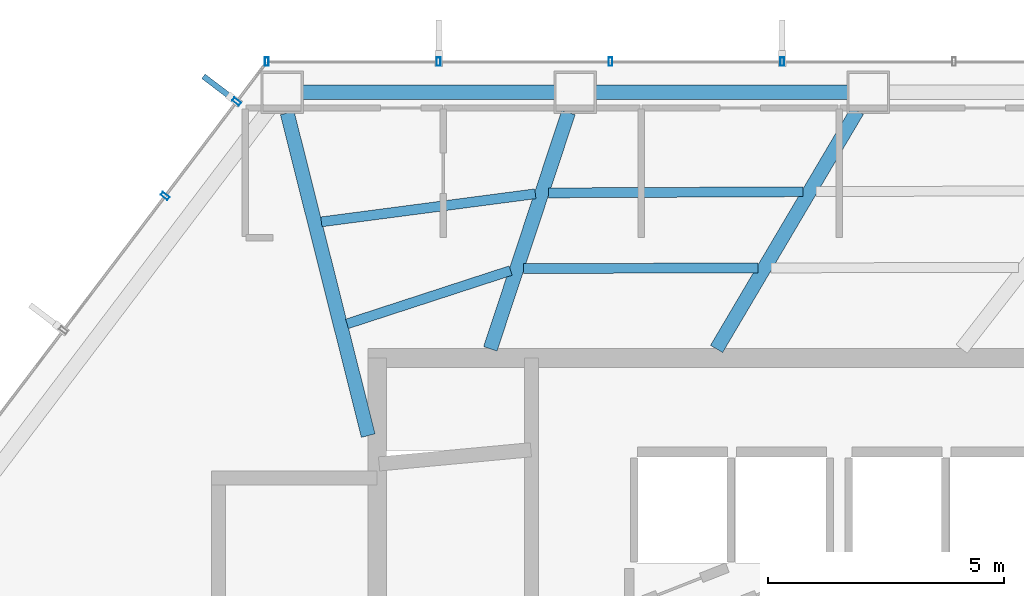
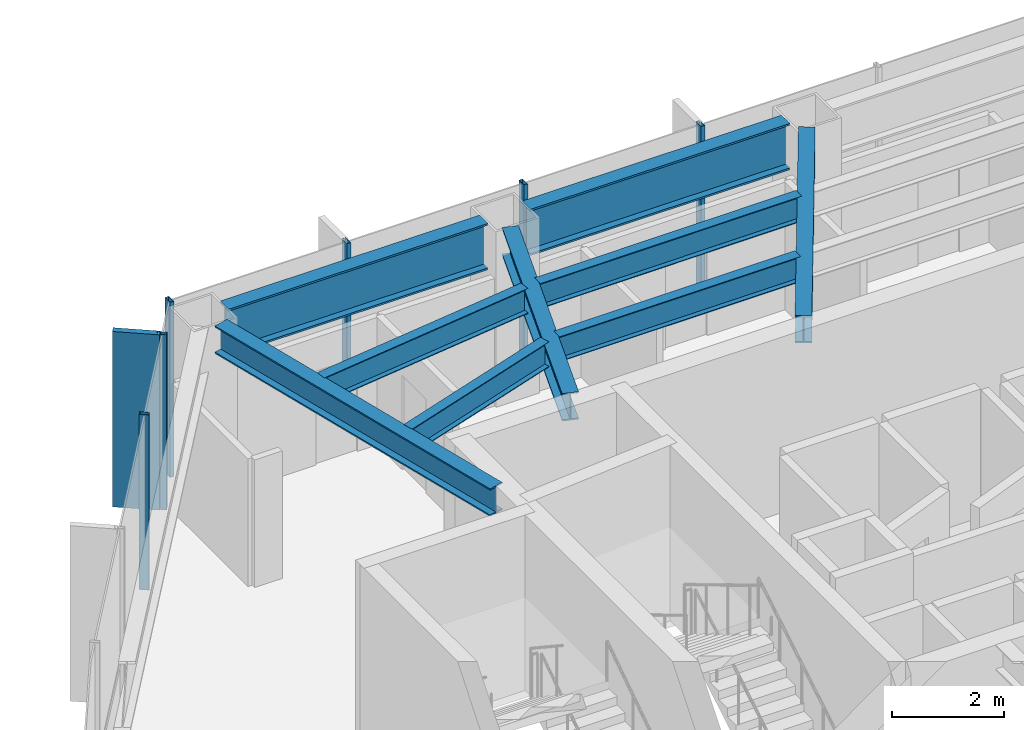
# One storey, part 11 of 24: 9 beams, 7 members, 2 elements without a shape of their own.
"""IFC4 building model written with IfcOpenShell, lengths in metres."""

from ifc_helpers import new_model, si_unit, direction, frame, origin, origin_2d, place, context, subcontext, project, spatial, rectangle, hollow_rectangle, i_section, extrude, material, layer, layer_set, material_profile, profile_set, type_object, element, aggregate, save


model = new_model("IFC4")

# Units and contexts
model_context = context("Model", 3, precision=1e-05, world=origin(), true_north=direction((0.0, 1.0)))
body_context = subcontext(model_context, "Body", "Model", "MODEL_VIEW")
ifc_project = project(units=[si_unit("LENGTHUNIT", "METRE"), si_unit("AREAUNIT", "SQUARE_METRE"), si_unit("VOLUMEUNIT", "CUBIC_METRE"), si_unit("PLANEANGLEUNIT", "RADIAN"), si_unit("MASSUNIT", "GRAM", prefix="KILO")], contexts=[model_context])

# Site, building, storey
site_placement = place(None, origin())
site = spatial("IfcSite", under=ifc_project, at=site_placement, CompositionType="ELEMENT")
building_placement = place(site_placement, origin())
building = spatial("IfcBuilding", under=site, at=building_placement, Name="Zarrinselat Tower", CompositionType="ELEMENT")
storey_placement = place(building_placement, frame((0.0, 0.0, 72.419921875)))
storey = spatial("IfcBuildingStorey", under=building, at=storey_placement, Name="L17", CompositionType="ELEMENT", Elevation=72.419921875)

# Beams
ifc_material_1 = material(Name="Steel S355J2", Category="steel")
ifc_material_profile_1 = material_profile(ifc_material_1, i_section(OverallWidth=0.300048828125, OverallDepth=0.60009765625, WebThickness=0.015380859375, FlangeThickness=0.030029296875, at=origin_2d()), Name="HEB 600")
ifc_profile_set_1 = profile_set([ifc_material_profile_1], Name="Steel S355J2")
beam_type_1 = type_object("IfcBeamType", Name="BM-HEB600", PredefinedType="BEAM", material=ifc_profile_set_1)
beam_1_placement = place(storey_placement, frame((35.800048828125, 43.639892578125, 3.52001953125), z_axis=(0.508790955784, 0.860890099439, 0.0), x_axis=(-0.860890099439, 0.508790955784, 0.0)))
element("IfcBeam", 1, at=beam_1_placement, inside=storey, type_object=beam_type_1, Name="L17 Radial Primary Girder RG03", PredefinedType="BEAM", context=body_context, shape_type="SweptSolid", body=[
    extrude(i_section(OverallWidth=0.300048828125, OverallDepth=0.60009765625, WebThickness=0.015380859375, FlangeThickness=0.030029296875, at=origin_2d()), origin(), (0.0, 0.0, 1.0), 5.870849609375),
])
beam_2_placement = place(storey_placement, frame((31.0, 43.639892578125, 3.52001953125), z_axis=(0.313813504101, 0.949484641605, 0.0), x_axis=(-0.949484641605, 0.313813504101, 0.0)))
element("IfcBeam", 2, at=beam_2_placement, inside=storey, type_object=beam_type_1, Name="L17 Radial Primary Girder RG04", PredefinedType="BEAM", context=body_context, shape_type="SweptSolid", body=[
    extrude(i_section(OverallWidth=0.300048828125, OverallDepth=0.60009765625, WebThickness=0.015380859375, FlangeThickness=0.030029296875, at=origin_2d()), origin(), (0.0, 0.0, 1.0), 5.281005859375),
])
beam_3_placement = place(storey_placement, frame((26.69140625, 48.64501953125, 3.52001953125), z_axis=(0.243504124048, -0.96989986162, 0.0), x_axis=(0.96989986162, 0.243504124048, 0.0)))
element("IfcBeam", 3, at=beam_3_placement, inside=storey, type_object=beam_type_1, Name="L17 Radial Primary Girder RG05", PredefinedType="BEAM", context=body_context, shape_type="SweptSolid", body=[
    extrude(i_section(OverallWidth=0.300048828125, OverallDepth=0.60009765625, WebThickness=0.015380859375, FlangeThickness=0.030029296875, at=origin_2d()), origin(), (0.0, 0.0, 1.0), 7.057373046875),
])
ifc_material_2 = material(Name="Steel S460M", Category="steel")
ifc_material_profile_2 = material_profile(ifc_material_2, i_section(OverallWidth=0.302001953125, OverallDepth=1.008056640625, WebThickness=0.02099609375, FlangeThickness=0.0400390625, at=origin_2d()), Name="HEM 1000")
ifc_profile_set_2 = profile_set([ifc_material_profile_2], Name="Steel S460M")
beam_type_2 = type_object("IfcBeamType", Name="BM-HEM1000", PredefinedType="BEAM", material=ifc_profile_set_2)
for number, where, z_axis, x_axis, name in (
    (4, (33.2373046875, 49.083251953125, 3.316162109375), (1.0, 0.0, 0.0), (0.0, 1.0, 0.0), "L17 Perimeter Spandrel Girder SP03"),
    (5, (27.019287109375, 49.083251953125, 3.316162109375), (1.0, 0.0, 0.0), (0.0, 1.0, 0.0), "L17 Perimeter Spandrel Girder SP04"),
):
    element("IfcBeam", number, at=place(storey_placement, frame(where, z_axis=z_axis, x_axis=x_axis)), inside=storey, type_object=beam_type_2, Name=name, PredefinedType="BEAM", context=body_context, shape_type="SweptSolid", body=[
        extrude(i_section(OverallWidth=0.302001953125, OverallDepth=1.008056640625, WebThickness=0.02099609375, FlangeThickness=0.0400390625, at=origin_2d()), origin(), (0.0, 0.0, 1.0), 5.341796875),
    ])
ifc_material_3 = material(Name="Steel S355J2", Category="steel")
ifc_material_profile_3 = material_profile(ifc_material_3, i_section(OverallWidth=0.2099609375, OverallDepth=0.550048828125, WebThickness=0.010986328125, FlangeThickness=0.01708984375, at=origin_2d()), Name="IPE 550")
ifc_profile_set_3 = profile_set([ifc_material_profile_3], Name="Steel S355J2")
beam_type_3 = type_object("IfcBeamType", Name="BM-IPE550", PredefinedType="JOIST", material=ifc_profile_set_3)
beam_4_placement = place(storey_placement, frame((32.23388671875, 46.949951171875, 3.545166015625), z_axis=(0.999989148265, 0.004658685706, 0.0), x_axis=(-0.004658685706, 0.999989148265, 0.0)))
element("IfcBeam", 6, at=beam_4_placement, inside=storey, type_object=beam_type_3, Name="L17 Composite Floor Joist 9-1", PredefinedType="JOIST", context=body_context, shape_type="SweptSolid", body=[
    extrude(i_section(OverallWidth=0.2099609375, OverallDepth=0.550048828125, WebThickness=0.010986328125, FlangeThickness=0.01708984375, at=origin_2d()), origin(), (0.0, 0.0, 1.0), 5.397705078125),
])
beam_5_placement = place(storey_placement, frame((31.70361328125, 45.34521484375, 3.545166015625), z_axis=(0.999996613503, 0.002602495483, 0.0), x_axis=(-0.002602495483, 0.999996613503, 0.0)))
element("IfcBeam", 7, at=beam_5_placement, inside=storey, type_object=beam_type_3, Name="L17 Composite Floor Joist 9-2", PredefinedType="JOIST", context=body_context, shape_type="SweptSolid", body=[
    extrude(i_section(OverallWidth=0.2099609375, OverallDepth=0.550048828125, WebThickness=0.010986328125, FlangeThickness=0.01708984375, at=origin_2d()), origin(), (0.0, 0.0, 1.0), 4.971923828125),
])
beam_6_placement = place(storey_placement, frame((27.41455078125, 46.335693359375, 3.545166015625), z_axis=(0.991510094003, 0.130029740793, 0.0), x_axis=(-0.130029740793, 0.991510094003, 0.0)))
element("IfcBeam", 8, at=beam_6_placement, inside=storey, type_object=beam_type_3, Name="L17 Composite Floor Joist 10-1", PredefinedType="JOIST", context=body_context, shape_type="SweptSolid", body=[
    extrude(i_section(OverallWidth=0.2099609375, OverallDepth=0.550048828125, WebThickness=0.010986328125, FlangeThickness=0.01708984375, at=origin_2d()), origin(), (0.0, 0.0, 1.0), 4.579345703125),
])
beam_7_placement = place(storey_placement, frame((27.958740234375, 44.170654296875, 3.545166015625), z_axis=(0.950827477047, 0.30972101784, 0.0), x_axis=(-0.30972101784, 0.950827477047, 0.0)))
element("IfcBeam", 9, at=beam_7_placement, inside=storey, type_object=beam_type_3, Name="L17 Composite Floor Joist 10-2", PredefinedType="JOIST", context=body_context, shape_type="SweptSolid", body=[
    extrude(i_section(OverallWidth=0.2099609375, OverallDepth=0.550048828125, WebThickness=0.010986328125, FlangeThickness=0.01708984375, at=origin_2d()), origin(), (0.0, 0.0, 1.0), 3.651123046875),
])

# Curtain wall, members
ifc_material_4 = material(Name="Extruded Aluminium Alloy EN AW-6063 T6", Category="aluminium")
ifc_layer = layer(ifc_material_4, 0.18505859375)
ifc_layer_set = layer_set([ifc_layer], Name="Extruded Aluminium Alloy EN AW-6063 T6")
curtain_wall_type = type_object("IfcCurtainWallType", Name="CWS-OFF", PredefinedType="NOTDEFINED", material=ifc_layer_set)
curtain_wall_1_placement = place(storey_placement, origin())
curtain_wall_1 = element("IfcCurtainWall", 10, at=curtain_wall_1_placement, inside=storey, type_object=curtain_wall_type, Name="L17 Unitised Curtain Wall CW-L17-E01", PredefinedType="NOTDEFINED")
ifc_material_5 = material(Name="Extruded Aluminium Alloy EN AW-6063 T6", Category="aluminium")
ifc_material_profile_4 = material_profile(ifc_material_5, hollow_rectangle(XDim=0.080078125, YDim=0.179931640625, WallThickness=0.0048828125, at=origin_2d()), Name="RHS 180x80x5")
ifc_profile_set_4 = profile_set([ifc_material_profile_4], Name="Extruded Aluminium Alloy EN AW-6063 T6")
member_type_1 = type_object("IfcMemberType", Name="MEM-CW-MUL", PredefinedType="MULLION", material=ifc_profile_set_4)
member_1_placement = place(storey_placement, frame((37.194580078125, 49.7333984375, 0.0), z_axis=(0.0, 0.0, 1.0), x_axis=(-1.0, 0.0, 0.0)))
member_1 = element("IfcMember", 11, at=member_1_placement, type_object=member_type_1, Name="CW-L17-E01 Mullion 5", PredefinedType="MULLION", context=body_context, shape_type="SweptSolid", body=[
    extrude(hollow_rectangle(XDim=0.080078125, YDim=0.179931640625, WallThickness=0.0048828125, at=origin_2d()), origin(), (0.0, 0.0, 1.0), 3.820068359375),
])
member_2_placement = place(storey_placement, frame((33.549072265625, 49.7333984375, 0.0), z_axis=(0.0, 0.0, 1.0), x_axis=(-1.0, 0.0, 0.0)))
member_2 = element("IfcMember", 12, at=member_2_placement, type_object=member_type_1, Name="CW-L17-E01 Mullion 6", PredefinedType="MULLION", context=body_context, shape_type="SweptSolid", body=[
    extrude(hollow_rectangle(XDim=0.080078125, YDim=0.179931640625, WallThickness=0.0048828125, at=origin_2d()), origin(), (0.0, 0.0, 1.0), 3.820068359375),
])
member_3_placement = place(storey_placement, frame((29.903564453125, 49.7333984375, 0.0), z_axis=(0.0, 0.0, 1.0), x_axis=(-1.0, 0.0, 0.0)))
member_3 = element("IfcMember", 13, at=member_3_placement, type_object=member_type_1, Name="CW-L17-E01 Mullion 7", PredefinedType="MULLION", context=body_context, shape_type="SweptSolid", body=[
    extrude(hollow_rectangle(XDim=0.080078125, YDim=0.179931640625, WallThickness=0.0048828125, at=origin_2d()), origin(), (0.0, 0.0, 1.0), 3.820068359375),
])
member_4_placement = place(storey_placement, frame((26.25830078125, 49.7333984375, 0.0), z_axis=(0.0, 0.0, 1.0), x_axis=(-1.0, 0.0, 0.0)))
member_4 = element("IfcMember", 14, at=member_4_placement, type_object=member_type_1, Name="CW-L17-E01 Mullion 8", PredefinedType="MULLION", context=body_context, shape_type="SweptSolid", body=[
    extrude(hollow_rectangle(XDim=0.080078125, YDim=0.179931640625, WallThickness=0.0048828125, at=origin_2d()), origin(), (0.0, 0.0, 1.0), 3.820068359375),
])
aggregate(curtain_wall_1, [member_1, member_2, member_3, member_4])

curtain_wall_2_placement = place(storey_placement, origin())
curtain_wall_2 = element("IfcCurtainWall", 15, at=curtain_wall_2_placement, inside=storey, type_object=curtain_wall_type, Name="L17 Unitised Curtain Wall CW-L17-E02", PredefinedType="NOTDEFINED")
member_5_placement = place(storey_placement, frame((25.617919921875, 48.887939453125, 0.0), z_axis=(0.0, 0.0, 1.0), x_axis=(-0.60385671849, -0.797092882627, 0.0)))
member_5 = element("IfcMember", 16, at=member_5_placement, type_object=member_type_1, Name="CW-L17-E02 Mullion 1", PredefinedType="MULLION", context=body_context, shape_type="SweptSolid", body=[
    extrude(hollow_rectangle(XDim=0.080078125, YDim=0.179931640625, WallThickness=0.0048828125, at=origin_2d()), origin(), (0.0, 0.0, 1.0), 3.820068359375),
])
member_6_placement = place(storey_placement, frame((24.099609375, 46.884033203125, 0.0), z_axis=(0.0, 0.0, 1.0), x_axis=(-0.60385671849, -0.797092882627, 0.0)))
member_6 = element("IfcMember", 17, at=member_6_placement, type_object=member_type_1, Name="CW-L17-E02 Mullion 2", PredefinedType="MULLION", context=body_context, shape_type="SweptSolid", body=[
    extrude(hollow_rectangle(XDim=0.080078125, YDim=0.179931640625, WallThickness=0.0048828125, at=origin_2d()), origin(), (0.0, 0.0, 1.0), 3.820068359375),
])
ifc_material_6 = material(Name="Honed Cream Travertine Stone", Category="masonry")
ifc_material_profile_5 = material_profile(ifc_material_6, rectangle(XDim=0.1201171875, YDim=0.85009765625, at=origin_2d()), Name="FIN 850x120")
ifc_profile_set_5 = profile_set([ifc_material_profile_5], Name="Honed Cream Travertine Stone")
member_type_2 = type_object("IfcMemberType", Name="MEM-STONE-FIN", PredefinedType="USERDEFINED", material=ifc_profile_set_5)
member_7_placement = place(storey_placement, frame((25.251220703125, 49.165771484375, 0.0), z_axis=(0.0, 0.0, 1.0), x_axis=(0.60385671849, 0.797092882627, 0.0)))
member_7 = element("IfcMember", 18, at=member_7_placement, type_object=member_type_2, Name="L17 Stone Shading Fin CW-L17-E02-01", ObjectType="FIN", PredefinedType="USERDEFINED", context=body_context, shape_type="SweptSolid", body=[
    extrude(rectangle(XDim=0.1201171875, YDim=0.85009765625, at=origin_2d()), origin(), (0.0, 0.0, 1.0), 3.820068359375),
])
aggregate(curtain_wall_2, [member_5, member_7, member_6])

save(model, "model.ifc")
